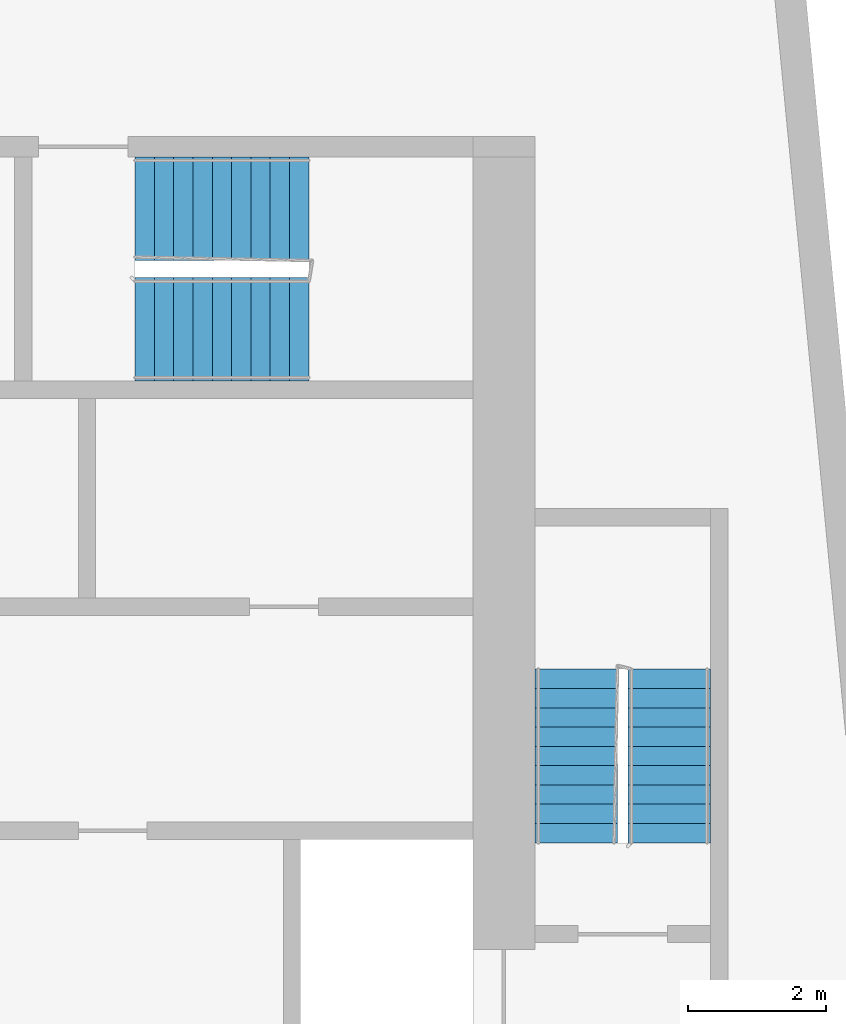
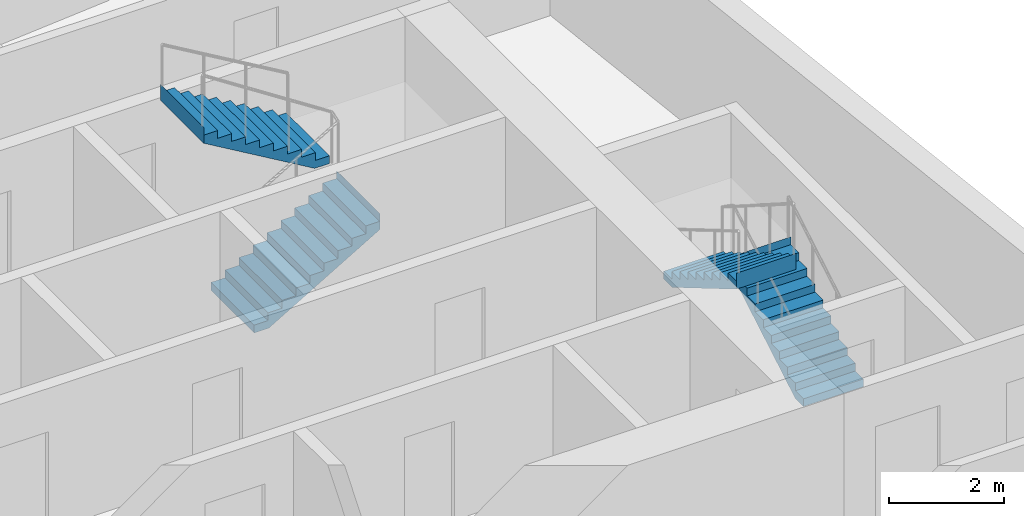
# One storey, part 10 of 11: 4 stair flights, 2 elements without a shape of their own.
"""IFC4 building model written with IfcOpenShell, lengths in metres."""

from ifc_helpers import new_model, si_unit, direction, frame, origin, place, context, subcontext, project, spatial, faceted_brep, material, type_object, element, aggregate, save


model = new_model("IFC4")

# Units and contexts
model_context = context("Model", 3, precision=1e-05, world=origin(), true_north=direction((0.0, 1.0)))
body_context = subcontext(model_context, "Body", "Model", "MODEL_VIEW")
ifc_project = project(units=[si_unit("LENGTHUNIT", "METRE"), si_unit("AREAUNIT", "SQUARE_METRE"), si_unit("VOLUMEUNIT", "CUBIC_METRE"), si_unit("PLANEANGLEUNIT", "RADIAN"), si_unit("MASSUNIT", "GRAM", prefix="KILO")], contexts=[model_context])

# Site, building, storey
site_placement = place(None, origin())
site = spatial("IfcSite", under=ifc_project, at=site_placement, CompositionType="ELEMENT")
building_placement = place(site_placement, origin())
building = spatial("IfcBuilding", under=site, at=building_placement, Name="Kajstack Hotel Tower", CompositionType="ELEMENT")
storey_placement = place(building_placement, frame((0.0, 0.0, 275.10009765625)))
storey = spatial("IfcBuildingStorey", under=building, at=storey_placement, Name="L68", CompositionType="ELEMENT", Elevation=275.10009765625)

# Stair, stair flights
ifc_material = material(Name="Concrete C40/50", Category="concrete")
stair_type_1 = type_object("IfcStairType", Name="Exit stair 1200", PredefinedType="HALF_TURN_STAIR", material=ifc_material)
stair_1_placement = place(storey_placement, origin())
stair_1 = element("IfcStair", 1, at=stair_1_placement, inside=storey, type_object=stair_type_1, Name="L68 stair E1", PredefinedType="HALF_TURN_STAIR")
stair_flight_type_1 = type_object("IfcStairFlightType", Name="Exit stair flight 1200", PredefinedType="STRAIGHT", material=ifc_material)
stair_flight_1_placement = place(storey_placement, frame((33.449951171875, 5.25, 0.0), z_axis=(0.0, 0.0, 1.0), x_axis=(0.0, 1.0, 0.0)))
stair_flight_1 = element("IfcStairFlight", 2, at=stair_flight_1_placement, type_object=stair_flight_type_1, Name="E1 flight 1", NumberOfRisers=10, NumberOfTreads=9, PredefinedType="STRAIGHT", RiserHeight=0.165, TreadLength=0.28, context=body_context, shape_type="Brep", body=[
    faceted_brep([(0.295654296875, -0.60009765625, 0.0), (2.5205078125, -0.60009765625, 1.31103515625), (2.5205078125, -0.60009765625, 1.64990234375), (2.52001953125, -0.60009765625, 1.64990234375), (2.52001953125, -0.60009765625, 1.485107421875), (2.239990234375, -0.60009765625, 1.485107421875), (2.239990234375, -0.60009765625, 1.320068359375), (1.9599609375, -0.60009765625, 1.320068359375), (1.9599609375, -0.60009765625, 1.155029296875), (1.679931640625, -0.60009765625, 1.155029296875), (1.679931640625, -0.60009765625, 0.989990234375), (1.39990234375, -0.60009765625, 0.989990234375), (1.39990234375, -0.60009765625, 0.824951171875), (1.1201171875, -0.60009765625, 0.824951171875), (1.1201171875, -0.60009765625, 0.659912109375), (0.840087890625, -0.60009765625, 0.659912109375), (0.840087890625, -0.60009765625, 0.4951171875), (0.56005859375, -0.60009765625, 0.4951171875), (0.56005859375, -0.60009765625, 0.330078125), (0.280029296875, -0.60009765625, 0.330078125), (0.280029296875, -0.60009765625, 0.1650390625), (-0.00048828125, -0.60009765625, 0.1650390625), (-0.00048828125, -0.60009765625, 0.0), (-0.00048828125, 0.60009765625, 0.0), (-0.00048828125, 0.60009765625, 0.1650390625), (0.280029296875, 0.60009765625, 0.1650390625), (0.280029296875, 0.60009765625, 0.330078125), (0.56005859375, 0.60009765625, 0.330078125), (0.56005859375, 0.60009765625, 0.4951171875), (0.840087890625, 0.60009765625, 0.4951171875), (0.840087890625, 0.60009765625, 0.659912109375), (1.1201171875, 0.60009765625, 0.659912109375), (1.1201171875, 0.60009765625, 0.824951171875), (1.39990234375, 0.60009765625, 0.824951171875), (1.39990234375, 0.60009765625, 0.989990234375), (1.679931640625, 0.60009765625, 0.989990234375), (1.679931640625, 0.60009765625, 1.155029296875), (1.9599609375, 0.60009765625, 1.155029296875), (1.9599609375, 0.60009765625, 1.320068359375), (2.239990234375, 0.60009765625, 1.320068359375), (2.239990234375, 0.60009765625, 1.485107421875), (2.52001953125, 0.60009765625, 1.485107421875), (2.52001953125, 0.60009765625, 1.64990234375), (2.5205078125, 0.60009765625, 1.64990234375), (2.5205078125, 0.60009765625, 1.31103515625), (0.295654296875, 0.60009765625, 0.0), (-0.00048828125, -0.300048828125, 0.1650390625), (-0.00048828125, 0.0, 0.1650390625), (-0.00048828125, 0.300048828125, 0.1650390625), (-0.00048828125, 0.300048828125, 0.0), (-0.00048828125, 0.0, 0.0), (-0.00048828125, -0.300048828125, 0.0), (0.280029296875, -0.300048828125, 0.1650390625), (0.280029296875, 0.0, 0.1650390625), (0.280029296875, 0.300048828125, 0.1650390625), (0.280029296875, -0.300048828125, 0.330078125), (0.280029296875, 0.0, 0.330078125), (0.280029296875, 0.300048828125, 0.330078125), (0.56005859375, -0.300048828125, 0.330078125), (0.56005859375, 0.0, 0.330078125), (0.56005859375, 0.300048828125, 0.330078125), (0.56005859375, -0.300048828125, 0.4951171875), (0.56005859375, 0.0, 0.4951171875), (0.56005859375, 0.300048828125, 0.4951171875), (0.840087890625, -0.300048828125, 0.4951171875), (0.840087890625, 0.0, 0.4951171875), (0.840087890625, 0.300048828125, 0.4951171875), (0.840087890625, -0.300048828125, 0.659912109375), (0.840087890625, 0.0, 0.659912109375), (0.840087890625, 0.300048828125, 0.659912109375), (1.1201171875, -0.300048828125, 0.659912109375), (1.1201171875, 0.0, 0.659912109375), (1.1201171875, 0.300048828125, 0.659912109375), (1.1201171875, -0.300048828125, 0.824951171875), (1.1201171875, 0.0, 0.824951171875), (1.1201171875, 0.300048828125, 0.824951171875), (1.39990234375, -0.300048828125, 0.824951171875), (1.39990234375, 0.0, 0.824951171875), (1.39990234375, 0.300048828125, 0.824951171875), (1.39990234375, -0.300048828125, 0.989990234375), (1.39990234375, 0.0, 0.989990234375), (1.39990234375, 0.300048828125, 0.989990234375), (1.679931640625, -0.300048828125, 0.989990234375), (1.679931640625, 0.0, 0.989990234375), (1.679931640625, 0.300048828125, 0.989990234375), (1.679931640625, -0.300048828125, 1.155029296875), (1.679931640625, 0.0, 1.155029296875), (1.679931640625, 0.300048828125, 1.155029296875), (1.9599609375, -0.300048828125, 1.155029296875), (1.9599609375, 0.0, 1.155029296875), (1.9599609375, 0.300048828125, 1.155029296875), (1.9599609375, -0.300048828125, 1.320068359375), (1.9599609375, 0.0, 1.320068359375), (1.9599609375, 0.300048828125, 1.320068359375), (2.239990234375, -0.300048828125, 1.320068359375), (2.239990234375, 0.0, 1.320068359375), (2.239990234375, 0.300048828125, 1.320068359375), (2.239990234375, -0.300048828125, 1.485107421875), (2.239990234375, 0.0, 1.485107421875), (2.239990234375, 0.300048828125, 1.485107421875), (2.52001953125, -0.300048828125, 1.485107421875), (2.52001953125, 0.0, 1.485107421875), (2.52001953125, 0.300048828125, 1.485107421875), (2.52001953125, -0.300048828125, 1.64990234375), (2.52001953125, 0.0, 1.64990234375), (2.52001953125, 0.300048828125, 1.64990234375), (2.5205078125, -0.300048828125, 1.64990234375), (2.5205078125, 0.0, 1.64990234375), (2.5205078125, 0.300048828125, 1.64990234375), (2.5205078125, -0.300048828125, 1.31103515625), (2.5205078125, 0.0, 1.31103515625), (2.5205078125, 0.300048828125, 1.31103515625), (0.295654296875, -0.300048828125, 0.0), (0.295654296875, 0.0, 0.0), (0.295654296875, 0.300048828125, 0.0)], [[[0, 1, 2, 3, 4, 5, 6, 7, 8, 9, 10, 11, 12, 13, 14, 15, 16, 17, 18, 19, 20, 21, 22]], [[23, 24, 25, 26, 27, 28, 29, 30, 31, 32, 33, 34, 35, 36, 37, 38, 39, 40, 41, 42, 43, 44, 45]], [[21, 46, 47, 48, 24, 23, 49, 50, 51, 22]], [[20, 52, 53, 54, 25, 24, 48, 47, 46, 21]], [[19, 55, 56, 57, 26, 25, 54, 53, 52, 20]], [[18, 58, 59, 60, 27, 26, 57, 56, 55, 19]], [[17, 61, 62, 63, 28, 27, 60, 59, 58, 18]], [[16, 64, 65, 66, 29, 28, 63, 62, 61, 17]], [[15, 67, 68, 69, 30, 29, 66, 65, 64, 16]], [[14, 70, 71, 72, 31, 30, 69, 68, 67, 15]], [[13, 73, 74, 75, 32, 31, 72, 71, 70, 14]], [[12, 76, 77, 78, 33, 32, 75, 74, 73, 13]], [[11, 79, 80, 81, 34, 33, 78, 77, 76, 12]], [[10, 82, 83, 84, 35, 34, 81, 80, 79, 11]], [[9, 85, 86, 87, 36, 35, 84, 83, 82, 10]], [[8, 88, 89, 90, 37, 36, 87, 86, 85, 9]], [[7, 91, 92, 93, 38, 37, 90, 89, 88, 8]], [[6, 94, 95, 96, 39, 38, 93, 92, 91, 7]], [[5, 97, 98, 99, 40, 39, 96, 95, 94, 6]], [[4, 100, 101, 102, 41, 40, 99, 98, 97, 5]], [[3, 103, 104, 105, 42, 41, 102, 101, 100, 4]], [[2, 106, 107, 108, 43, 42, 105, 104, 103, 3]], [[1, 109, 110, 111, 44, 43, 108, 107, 106, 2]], [[0, 112, 113, 114, 45, 44, 111, 110, 109, 1]], [[22, 51, 50, 49, 23, 45, 114, 113, 112, 0]]]),
])
stair_flight_2_placement = place(storey_placement, frame((32.10009765625, 7.77001953125, 1.64990234375), z_axis=(0.0, 0.0, 1.0), x_axis=(0.0, -1.0, 0.0)))
stair_flight_2 = element("IfcStairFlight", 3, at=stair_flight_2_placement, type_object=stair_flight_type_1, Name="E1 flight 2", NumberOfRisers=10, NumberOfTreads=9, PredefinedType="STRAIGHT", RiserHeight=0.165, TreadLength=0.28, context=body_context, shape_type="Brep", body=[
    faceted_brep([(0.295654296875, -0.60009765625, 0.0), (2.5205078125, -0.60009765625, 1.31103515625), (2.5205078125, -0.60009765625, 1.64990234375), (2.52001953125, -0.60009765625, 1.64990234375), (2.52001953125, -0.60009765625, 1.485107421875), (2.239990234375, -0.60009765625, 1.485107421875), (2.239990234375, -0.60009765625, 1.320068359375), (1.9599609375, -0.60009765625, 1.320068359375), (1.9599609375, -0.60009765625, 1.155029296875), (1.679931640625, -0.60009765625, 1.155029296875), (1.679931640625, -0.60009765625, 0.989990234375), (1.39990234375, -0.60009765625, 0.989990234375), (1.39990234375, -0.60009765625, 0.824951171875), (1.1201171875, -0.60009765625, 0.824951171875), (1.1201171875, -0.60009765625, 0.659912109375), (0.840087890625, -0.60009765625, 0.659912109375), (0.840087890625, -0.60009765625, 0.4951171875), (0.56005859375, -0.60009765625, 0.4951171875), (0.56005859375, -0.60009765625, 0.330078125), (0.280029296875, -0.60009765625, 0.330078125), (0.280029296875, -0.60009765625, 0.1650390625), (-0.00048828125, -0.60009765625, 0.1650390625), (-0.00048828125, -0.60009765625, 0.0), (-0.00048828125, 0.60009765625, 0.0), (-0.00048828125, 0.60009765625, 0.1650390625), (0.280029296875, 0.60009765625, 0.1650390625), (0.280029296875, 0.60009765625, 0.330078125), (0.56005859375, 0.60009765625, 0.330078125), (0.56005859375, 0.60009765625, 0.4951171875), (0.840087890625, 0.60009765625, 0.4951171875), (0.840087890625, 0.60009765625, 0.659912109375), (1.1201171875, 0.60009765625, 0.659912109375), (1.1201171875, 0.60009765625, 0.824951171875), (1.39990234375, 0.60009765625, 0.824951171875), (1.39990234375, 0.60009765625, 0.989990234375), (1.679931640625, 0.60009765625, 0.989990234375), (1.679931640625, 0.60009765625, 1.155029296875), (1.9599609375, 0.60009765625, 1.155029296875), (1.9599609375, 0.60009765625, 1.320068359375), (2.239990234375, 0.60009765625, 1.320068359375), (2.239990234375, 0.60009765625, 1.485107421875), (2.52001953125, 0.60009765625, 1.485107421875), (2.52001953125, 0.60009765625, 1.64990234375), (2.5205078125, 0.60009765625, 1.64990234375), (2.5205078125, 0.60009765625, 1.31103515625), (0.295654296875, 0.60009765625, 0.0), (-0.00048828125, -0.300048828125, 0.1650390625), (-0.00048828125, 0.0, 0.1650390625), (-0.00048828125, 0.300048828125, 0.1650390625), (-0.00048828125, 0.300048828125, 0.0), (-0.00048828125, 0.0, 0.0), (-0.00048828125, -0.300048828125, 0.0), (0.280029296875, -0.300048828125, 0.1650390625), (0.280029296875, 0.0, 0.1650390625), (0.280029296875, 0.300048828125, 0.1650390625), (0.280029296875, -0.300048828125, 0.330078125), (0.280029296875, 0.0, 0.330078125), (0.280029296875, 0.300048828125, 0.330078125), (0.56005859375, -0.300048828125, 0.330078125), (0.56005859375, 0.0, 0.330078125), (0.56005859375, 0.300048828125, 0.330078125), (0.56005859375, -0.300048828125, 0.4951171875), (0.56005859375, 0.0, 0.4951171875), (0.56005859375, 0.300048828125, 0.4951171875), (0.840087890625, -0.300048828125, 0.4951171875), (0.840087890625, 0.0, 0.4951171875), (0.840087890625, 0.300048828125, 0.4951171875), (0.840087890625, -0.300048828125, 0.659912109375), (0.840087890625, 0.0, 0.659912109375), (0.840087890625, 0.300048828125, 0.659912109375), (1.1201171875, -0.300048828125, 0.659912109375), (1.1201171875, 0.0, 0.659912109375), (1.1201171875, 0.300048828125, 0.659912109375), (1.1201171875, -0.300048828125, 0.824951171875), (1.1201171875, 0.0, 0.824951171875), (1.1201171875, 0.300048828125, 0.824951171875), (1.39990234375, -0.300048828125, 0.824951171875), (1.39990234375, 0.0, 0.824951171875), (1.39990234375, 0.300048828125, 0.824951171875), (1.39990234375, -0.300048828125, 0.989990234375), (1.39990234375, 0.0, 0.989990234375), (1.39990234375, 0.300048828125, 0.989990234375), (1.679931640625, -0.300048828125, 0.989990234375), (1.679931640625, 0.0, 0.989990234375), (1.679931640625, 0.300048828125, 0.989990234375), (1.679931640625, -0.300048828125, 1.155029296875), (1.679931640625, 0.0, 1.155029296875), (1.679931640625, 0.300048828125, 1.155029296875), (1.9599609375, -0.300048828125, 1.155029296875), (1.9599609375, 0.0, 1.155029296875), (1.9599609375, 0.300048828125, 1.155029296875), (1.9599609375, -0.300048828125, 1.320068359375), (1.9599609375, 0.0, 1.320068359375), (1.9599609375, 0.300048828125, 1.320068359375), (2.239990234375, -0.300048828125, 1.320068359375), (2.239990234375, 0.0, 1.320068359375), (2.239990234375, 0.300048828125, 1.320068359375), (2.239990234375, -0.300048828125, 1.485107421875), (2.239990234375, 0.0, 1.485107421875), (2.239990234375, 0.300048828125, 1.485107421875), (2.52001953125, -0.300048828125, 1.485107421875), (2.52001953125, 0.0, 1.485107421875), (2.52001953125, 0.300048828125, 1.485107421875), (2.52001953125, -0.300048828125, 1.64990234375), (2.52001953125, 0.0, 1.64990234375), (2.52001953125, 0.300048828125, 1.64990234375), (2.5205078125, -0.300048828125, 1.64990234375), (2.5205078125, 0.0, 1.64990234375), (2.5205078125, 0.300048828125, 1.64990234375), (2.5205078125, -0.300048828125, 1.31103515625), (2.5205078125, 0.0, 1.31103515625), (2.5205078125, 0.300048828125, 1.31103515625), (0.295654296875, -0.300048828125, 0.0), (0.295654296875, 0.0, 0.0), (0.295654296875, 0.300048828125, 0.0)], [[[0, 1, 2, 3, 4, 5, 6, 7, 8, 9, 10, 11, 12, 13, 14, 15, 16, 17, 18, 19, 20, 21, 22]], [[23, 24, 25, 26, 27, 28, 29, 30, 31, 32, 33, 34, 35, 36, 37, 38, 39, 40, 41, 42, 43, 44, 45]], [[21, 46, 47, 48, 24, 23, 49, 50, 51, 22]], [[20, 52, 53, 54, 25, 24, 48, 47, 46, 21]], [[19, 55, 56, 57, 26, 25, 54, 53, 52, 20]], [[18, 58, 59, 60, 27, 26, 57, 56, 55, 19]], [[17, 61, 62, 63, 28, 27, 60, 59, 58, 18]], [[16, 64, 65, 66, 29, 28, 63, 62, 61, 17]], [[15, 67, 68, 69, 30, 29, 66, 65, 64, 16]], [[14, 70, 71, 72, 31, 30, 69, 68, 67, 15]], [[13, 73, 74, 75, 32, 31, 72, 71, 70, 14]], [[12, 76, 77, 78, 33, 32, 75, 74, 73, 13]], [[11, 79, 80, 81, 34, 33, 78, 77, 76, 12]], [[10, 82, 83, 84, 35, 34, 81, 80, 79, 11]], [[9, 85, 86, 87, 36, 35, 84, 83, 82, 10]], [[8, 88, 89, 90, 37, 36, 87, 86, 85, 9]], [[7, 91, 92, 93, 38, 37, 90, 89, 88, 8]], [[6, 94, 95, 96, 39, 38, 93, 92, 91, 7]], [[5, 97, 98, 99, 40, 39, 96, 95, 94, 6]], [[4, 100, 101, 102, 41, 40, 99, 98, 97, 5]], [[3, 103, 104, 105, 42, 41, 102, 101, 100, 4]], [[2, 106, 107, 108, 43, 42, 105, 104, 103, 3]], [[1, 109, 110, 111, 44, 43, 108, 107, 106, 2]], [[0, 112, 113, 114, 45, 44, 111, 110, 109, 1]], [[22, 51, 50, 49, 23, 45, 114, 113, 112, 0]]]),
])
aggregate(stair_1, [stair_flight_1, stair_flight_2])

stair_type_2 = type_object("IfcStairType", Name="Exit stair 1500", PredefinedType="HALF_TURN_STAIR", material=ifc_material)
stair_2_placement = place(storey_placement, origin())
stair_2 = element("IfcStair", 4, at=stair_2_placement, inside=storey, type_object=stair_type_2, Name="L68 stair E3", PredefinedType="HALF_TURN_STAIR")
stair_flight_type_2 = type_object("IfcStairFlightType", Name="Exit stair flight 1500", PredefinedType="STRAIGHT", material=ifc_material)
stair_flight_3_placement = place(storey_placement, frame((25.699951171875, 12.699951171875, 0.0), z_axis=(0.0, 0.0, 1.0), x_axis=(1.0, 0.0, 0.0)))
stair_flight_3 = element("IfcStairFlight", 5, at=stair_flight_3_placement, type_object=stair_flight_type_2, Name="E3 flight 1", NumberOfRisers=10, NumberOfTreads=9, PredefinedType="STRAIGHT", RiserHeight=0.165, TreadLength=0.28, context=body_context, shape_type="Brep", body=[
    faceted_brep([(0.295654296875, -0.75, 0.0), (2.5205078125, -0.75, 1.31103515625), (2.5205078125, -0.75, 1.64990234375), (2.52001953125, -0.75, 1.64990234375), (2.52001953125, -0.75, 1.485107421875), (2.239990234375, -0.75, 1.485107421875), (2.239990234375, -0.75, 1.320068359375), (1.9599609375, -0.75, 1.320068359375), (1.9599609375, -0.75, 1.155029296875), (1.679931640625, -0.75, 1.155029296875), (1.679931640625, -0.75, 0.989990234375), (1.39990234375, -0.75, 0.989990234375), (1.39990234375, -0.75, 0.824951171875), (1.1201171875, -0.75, 0.824951171875), (1.1201171875, -0.75, 0.659912109375), (0.840087890625, -0.75, 0.659912109375), (0.840087890625, -0.75, 0.4951171875), (0.56005859375, -0.75, 0.4951171875), (0.56005859375, -0.75, 0.330078125), (0.280029296875, -0.75, 0.330078125), (0.280029296875, -0.75, 0.1650390625), (-0.00048828125, -0.75, 0.1650390625), (-0.00048828125, -0.75, 0.0), (-0.00048828125, 0.75, 0.0), (-0.00048828125, 0.75, 0.1650390625), (0.280029296875, 0.75, 0.1650390625), (0.280029296875, 0.75, 0.330078125), (0.56005859375, 0.75, 0.330078125), (0.56005859375, 0.75, 0.4951171875), (0.840087890625, 0.75, 0.4951171875), (0.840087890625, 0.75, 0.659912109375), (1.1201171875, 0.75, 0.659912109375), (1.1201171875, 0.75, 0.824951171875), (1.39990234375, 0.75, 0.824951171875), (1.39990234375, 0.75, 0.989990234375), (1.679931640625, 0.75, 0.989990234375), (1.679931640625, 0.75, 1.155029296875), (1.9599609375, 0.75, 1.155029296875), (1.9599609375, 0.75, 1.320068359375), (2.239990234375, 0.75, 1.320068359375), (2.239990234375, 0.75, 1.485107421875), (2.52001953125, 0.75, 1.485107421875), (2.52001953125, 0.75, 1.64990234375), (2.5205078125, 0.75, 1.64990234375), (2.5205078125, 0.75, 1.31103515625), (0.295654296875, 0.75, 0.0), (-0.00048828125, -0.375, 0.1650390625), (-0.00048828125, 0.0, 0.1650390625), (-0.00048828125, 0.375, 0.1650390625), (-0.00048828125, 0.375, 0.0), (-0.00048828125, 0.0, 0.0), (-0.00048828125, -0.375, 0.0), (0.280029296875, -0.375, 0.1650390625), (0.280029296875, 0.0, 0.1650390625), (0.280029296875, 0.375, 0.1650390625), (0.280029296875, -0.375, 0.330078125), (0.280029296875, 0.0, 0.330078125), (0.280029296875, 0.375, 0.330078125), (0.56005859375, -0.375, 0.330078125), (0.56005859375, 0.0, 0.330078125), (0.56005859375, 0.375, 0.330078125), (0.56005859375, -0.375, 0.4951171875), (0.56005859375, 0.0, 0.4951171875), (0.56005859375, 0.375, 0.4951171875), (0.840087890625, -0.375, 0.4951171875), (0.840087890625, 0.0, 0.4951171875), (0.840087890625, 0.375, 0.4951171875), (0.840087890625, -0.375, 0.659912109375), (0.840087890625, 0.0, 0.659912109375), (0.840087890625, 0.375, 0.659912109375), (1.1201171875, -0.375, 0.659912109375), (1.1201171875, 0.0, 0.659912109375), (1.1201171875, 0.375, 0.659912109375), (1.1201171875, -0.375, 0.824951171875), (1.1201171875, 0.0, 0.824951171875), (1.1201171875, 0.375, 0.824951171875), (1.39990234375, -0.375, 0.824951171875), (1.39990234375, 0.0, 0.824951171875), (1.39990234375, 0.375, 0.824951171875), (1.39990234375, -0.375, 0.989990234375), (1.39990234375, 0.0, 0.989990234375), (1.39990234375, 0.375, 0.989990234375), (1.679931640625, -0.375, 0.989990234375), (1.679931640625, 0.0, 0.989990234375), (1.679931640625, 0.375, 0.989990234375), (1.679931640625, -0.375, 1.155029296875), (1.679931640625, 0.0, 1.155029296875), (1.679931640625, 0.375, 1.155029296875), (1.9599609375, -0.375, 1.155029296875), (1.9599609375, 0.0, 1.155029296875), (1.9599609375, 0.375, 1.155029296875), (1.9599609375, -0.375, 1.320068359375), (1.9599609375, 0.0, 1.320068359375), (1.9599609375, 0.375, 1.320068359375), (2.239990234375, -0.375, 1.320068359375), (2.239990234375, 0.0, 1.320068359375), (2.239990234375, 0.375, 1.320068359375), (2.239990234375, -0.375, 1.485107421875), (2.239990234375, 0.0, 1.485107421875), (2.239990234375, 0.375, 1.485107421875), (2.52001953125, -0.375, 1.485107421875), (2.52001953125, 0.0, 1.485107421875), (2.52001953125, 0.375, 1.485107421875), (2.52001953125, -0.375, 1.64990234375), (2.52001953125, 0.0, 1.64990234375), (2.52001953125, 0.375, 1.64990234375), (2.5205078125, -0.375, 1.64990234375), (2.5205078125, 0.0, 1.64990234375), (2.5205078125, 0.375, 1.64990234375), (2.5205078125, -0.375, 1.31103515625), (2.5205078125, 0.0, 1.31103515625), (2.5205078125, 0.375, 1.31103515625), (0.295654296875, -0.375, 0.0), (0.295654296875, 0.0, 0.0), (0.295654296875, 0.375, 0.0)], [[[0, 1, 2, 3, 4, 5, 6, 7, 8, 9, 10, 11, 12, 13, 14, 15, 16, 17, 18, 19, 20, 21, 22]], [[23, 24, 25, 26, 27, 28, 29, 30, 31, 32, 33, 34, 35, 36, 37, 38, 39, 40, 41, 42, 43, 44, 45]], [[21, 46, 47, 48, 24, 23, 49, 50, 51, 22]], [[20, 52, 53, 54, 25, 24, 48, 47, 46, 21]], [[19, 55, 56, 57, 26, 25, 54, 53, 52, 20]], [[18, 58, 59, 60, 27, 26, 57, 56, 55, 19]], [[17, 61, 62, 63, 28, 27, 60, 59, 58, 18]], [[16, 64, 65, 66, 29, 28, 63, 62, 61, 17]], [[15, 67, 68, 69, 30, 29, 66, 65, 64, 16]], [[14, 70, 71, 72, 31, 30, 69, 68, 67, 15]], [[13, 73, 74, 75, 32, 31, 72, 71, 70, 14]], [[12, 76, 77, 78, 33, 32, 75, 74, 73, 13]], [[11, 79, 80, 81, 34, 33, 78, 77, 76, 12]], [[10, 82, 83, 84, 35, 34, 81, 80, 79, 11]], [[9, 85, 86, 87, 36, 35, 84, 83, 82, 10]], [[8, 88, 89, 90, 37, 36, 87, 86, 85, 9]], [[7, 91, 92, 93, 38, 37, 90, 89, 88, 8]], [[6, 94, 95, 96, 39, 38, 93, 92, 91, 7]], [[5, 97, 98, 99, 40, 39, 96, 95, 94, 6]], [[4, 100, 101, 102, 41, 40, 99, 98, 97, 5]], [[3, 103, 104, 105, 42, 41, 102, 101, 100, 4]], [[2, 106, 107, 108, 43, 42, 105, 104, 103, 3]], [[1, 109, 110, 111, 44, 43, 108, 107, 106, 2]], [[0, 112, 113, 114, 45, 44, 111, 110, 109, 1]], [[22, 51, 50, 49, 23, 45, 114, 113, 112, 0]]]),
])
stair_flight_4_placement = place(storey_placement, frame((28.219970703125, 14.449951171875, 1.64990234375), z_axis=(0.0, 0.0, 1.0), x_axis=(-1.0, 0.0, 0.0)))
stair_flight_4 = element("IfcStairFlight", 6, at=stair_flight_4_placement, type_object=stair_flight_type_2, Name="E3 flight 2", NumberOfRisers=10, NumberOfTreads=9, PredefinedType="STRAIGHT", RiserHeight=0.165, TreadLength=0.28, context=body_context, shape_type="Brep", body=[
    faceted_brep([(0.295654296875, -0.75, 0.0), (2.5205078125, -0.75, 1.31103515625), (2.5205078125, -0.75, 1.64990234375), (2.52001953125, -0.75, 1.64990234375), (2.52001953125, -0.75, 1.485107421875), (2.239990234375, -0.75, 1.485107421875), (2.239990234375, -0.75, 1.320068359375), (1.9599609375, -0.75, 1.320068359375), (1.9599609375, -0.75, 1.155029296875), (1.679931640625, -0.75, 1.155029296875), (1.679931640625, -0.75, 0.989990234375), (1.39990234375, -0.75, 0.989990234375), (1.39990234375, -0.75, 0.824951171875), (1.1201171875, -0.75, 0.824951171875), (1.1201171875, -0.75, 0.659912109375), (0.840087890625, -0.75, 0.659912109375), (0.840087890625, -0.75, 0.4951171875), (0.56005859375, -0.75, 0.4951171875), (0.56005859375, -0.75, 0.330078125), (0.280029296875, -0.75, 0.330078125), (0.280029296875, -0.75, 0.1650390625), (-0.00048828125, -0.75, 0.1650390625), (-0.00048828125, -0.75, 0.0), (-0.00048828125, 0.75, 0.0), (-0.00048828125, 0.75, 0.1650390625), (0.280029296875, 0.75, 0.1650390625), (0.280029296875, 0.75, 0.330078125), (0.56005859375, 0.75, 0.330078125), (0.56005859375, 0.75, 0.4951171875), (0.840087890625, 0.75, 0.4951171875), (0.840087890625, 0.75, 0.659912109375), (1.1201171875, 0.75, 0.659912109375), (1.1201171875, 0.75, 0.824951171875), (1.39990234375, 0.75, 0.824951171875), (1.39990234375, 0.75, 0.989990234375), (1.679931640625, 0.75, 0.989990234375), (1.679931640625, 0.75, 1.155029296875), (1.9599609375, 0.75, 1.155029296875), (1.9599609375, 0.75, 1.320068359375), (2.239990234375, 0.75, 1.320068359375), (2.239990234375, 0.75, 1.485107421875), (2.52001953125, 0.75, 1.485107421875), (2.52001953125, 0.75, 1.64990234375), (2.5205078125, 0.75, 1.64990234375), (2.5205078125, 0.75, 1.31103515625), (0.295654296875, 0.75, 0.0), (-0.00048828125, -0.375, 0.1650390625), (-0.00048828125, 0.0, 0.1650390625), (-0.00048828125, 0.375, 0.1650390625), (-0.00048828125, 0.375, 0.0), (-0.00048828125, 0.0, 0.0), (-0.00048828125, -0.375, 0.0), (0.280029296875, -0.375, 0.1650390625), (0.280029296875, 0.0, 0.1650390625), (0.280029296875, 0.375, 0.1650390625), (0.280029296875, -0.375, 0.330078125), (0.280029296875, 0.0, 0.330078125), (0.280029296875, 0.375, 0.330078125), (0.56005859375, -0.375, 0.330078125), (0.56005859375, 0.0, 0.330078125), (0.56005859375, 0.375, 0.330078125), (0.56005859375, -0.375, 0.4951171875), (0.56005859375, 0.0, 0.4951171875), (0.56005859375, 0.375, 0.4951171875), (0.840087890625, -0.375, 0.4951171875), (0.840087890625, 0.0, 0.4951171875), (0.840087890625, 0.375, 0.4951171875), (0.840087890625, -0.375, 0.659912109375), (0.840087890625, 0.0, 0.659912109375), (0.840087890625, 0.375, 0.659912109375), (1.1201171875, -0.375, 0.659912109375), (1.1201171875, 0.0, 0.659912109375), (1.1201171875, 0.375, 0.659912109375), (1.1201171875, -0.375, 0.824951171875), (1.1201171875, 0.0, 0.824951171875), (1.1201171875, 0.375, 0.824951171875), (1.39990234375, -0.375, 0.824951171875), (1.39990234375, 0.0, 0.824951171875), (1.39990234375, 0.375, 0.824951171875), (1.39990234375, -0.375, 0.989990234375), (1.39990234375, 0.0, 0.989990234375), (1.39990234375, 0.375, 0.989990234375), (1.679931640625, -0.375, 0.989990234375), (1.679931640625, 0.0, 0.989990234375), (1.679931640625, 0.375, 0.989990234375), (1.679931640625, -0.375, 1.155029296875), (1.679931640625, 0.0, 1.155029296875), (1.679931640625, 0.375, 1.155029296875), (1.9599609375, -0.375, 1.155029296875), (1.9599609375, 0.0, 1.155029296875), (1.9599609375, 0.375, 1.155029296875), (1.9599609375, -0.375, 1.320068359375), (1.9599609375, 0.0, 1.320068359375), (1.9599609375, 0.375, 1.320068359375), (2.239990234375, -0.375, 1.320068359375), (2.239990234375, 0.0, 1.320068359375), (2.239990234375, 0.375, 1.320068359375), (2.239990234375, -0.375, 1.485107421875), (2.239990234375, 0.0, 1.485107421875), (2.239990234375, 0.375, 1.485107421875), (2.52001953125, -0.375, 1.485107421875), (2.52001953125, 0.0, 1.485107421875), (2.52001953125, 0.375, 1.485107421875), (2.52001953125, -0.375, 1.64990234375), (2.52001953125, 0.0, 1.64990234375), (2.52001953125, 0.375, 1.64990234375), (2.5205078125, -0.375, 1.64990234375), (2.5205078125, 0.0, 1.64990234375), (2.5205078125, 0.375, 1.64990234375), (2.5205078125, -0.375, 1.31103515625), (2.5205078125, 0.0, 1.31103515625), (2.5205078125, 0.375, 1.31103515625), (0.295654296875, -0.375, 0.0), (0.295654296875, 0.0, 0.0), (0.295654296875, 0.375, 0.0)], [[[0, 1, 2, 3, 4, 5, 6, 7, 8, 9, 10, 11, 12, 13, 14, 15, 16, 17, 18, 19, 20, 21, 22]], [[23, 24, 25, 26, 27, 28, 29, 30, 31, 32, 33, 34, 35, 36, 37, 38, 39, 40, 41, 42, 43, 44, 45]], [[21, 46, 47, 48, 24, 23, 49, 50, 51, 22]], [[20, 52, 53, 54, 25, 24, 48, 47, 46, 21]], [[19, 55, 56, 57, 26, 25, 54, 53, 52, 20]], [[18, 58, 59, 60, 27, 26, 57, 56, 55, 19]], [[17, 61, 62, 63, 28, 27, 60, 59, 58, 18]], [[16, 64, 65, 66, 29, 28, 63, 62, 61, 17]], [[15, 67, 68, 69, 30, 29, 66, 65, 64, 16]], [[14, 70, 71, 72, 31, 30, 69, 68, 67, 15]], [[13, 73, 74, 75, 32, 31, 72, 71, 70, 14]], [[12, 76, 77, 78, 33, 32, 75, 74, 73, 13]], [[11, 79, 80, 81, 34, 33, 78, 77, 76, 12]], [[10, 82, 83, 84, 35, 34, 81, 80, 79, 11]], [[9, 85, 86, 87, 36, 35, 84, 83, 82, 10]], [[8, 88, 89, 90, 37, 36, 87, 86, 85, 9]], [[7, 91, 92, 93, 38, 37, 90, 89, 88, 8]], [[6, 94, 95, 96, 39, 38, 93, 92, 91, 7]], [[5, 97, 98, 99, 40, 39, 96, 95, 94, 6]], [[4, 100, 101, 102, 41, 40, 99, 98, 97, 5]], [[3, 103, 104, 105, 42, 41, 102, 101, 100, 4]], [[2, 106, 107, 108, 43, 42, 105, 104, 103, 3]], [[1, 109, 110, 111, 44, 43, 108, 107, 106, 2]], [[0, 112, 113, 114, 45, 44, 111, 110, 109, 1]], [[22, 51, 50, 49, 23, 45, 114, 113, 112, 0]]]),
])
aggregate(stair_2, [stair_flight_3, stair_flight_4])

save(model, "model.ifc")
